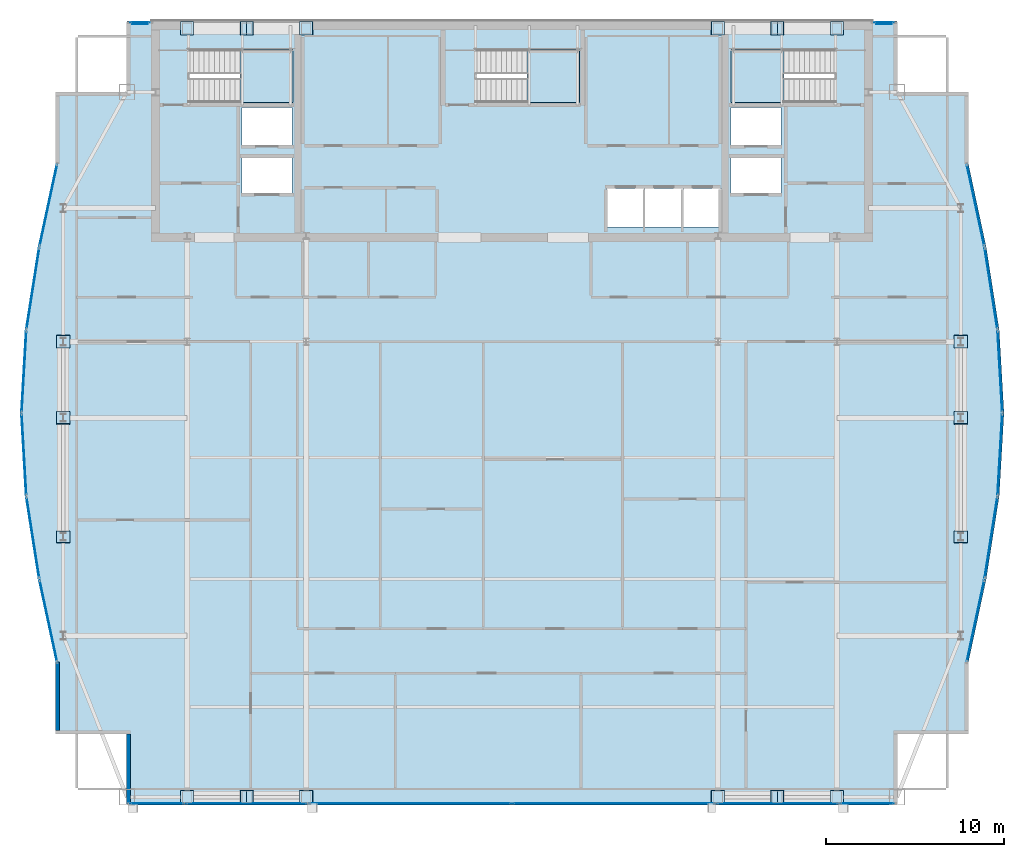
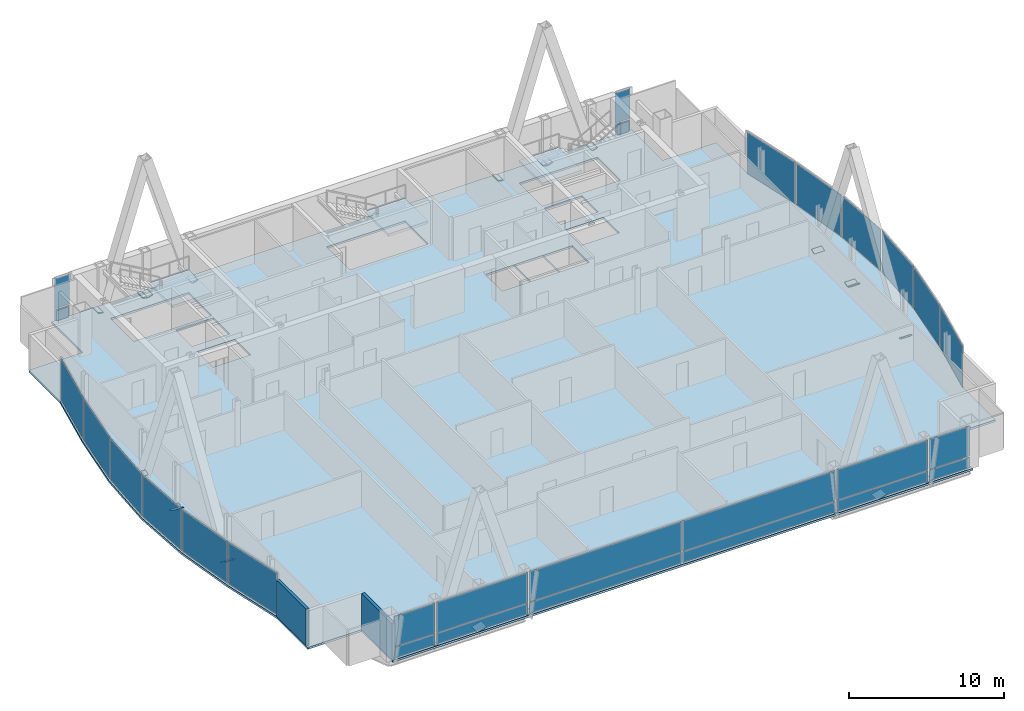
# One storey, part 23 of 29: 54 plates, 4 slabs, 2 walls, 22 elements without a shape of their own.
"""IFC4 building model written with IfcOpenShell, lengths in metres."""

from ifc_helpers import new_model, si_unit, direction, frame, frame_2d, origin, origin_2d, place, context, subcontext, project, spatial, polyline, rectangle, outline, extrude, material, layer, layer_set, type_object, element, aggregate, save


model = new_model("IFC4")

# Units and contexts
model_context = context("Model", 3, precision=1e-05, world=origin(), true_north=direction((0.0, 1.0)))
body_context = subcontext(model_context, "Body", "Model", "MODEL_VIEW")
ifc_project = project(units=[si_unit("LENGTHUNIT", "METRE"), si_unit("AREAUNIT", "SQUARE_METRE"), si_unit("VOLUMEUNIT", "CUBIC_METRE"), si_unit("PLANEANGLEUNIT", "RADIAN"), si_unit("MASSUNIT", "GRAM", prefix="KILO")], contexts=[model_context])

# Site, building, storey
site_placement = place(None, origin())
site = spatial("IfcSite", under=ifc_project, at=site_placement, CompositionType="ELEMENT")
building_placement = place(site_placement, origin())
building = spatial("IfcBuilding", under=site, at=building_placement, Name="Khoronbel Lancet Exchange", CompositionType="ELEMENT")
storey_placement = place(building_placement, frame((0.0, 0.0, 314.60009765625)))
storey = spatial("IfcBuildingStorey", under=building, at=storey_placement, Name="L81", CompositionType="ELEMENT", Elevation=314.60009765625)

# Curtain wall, plate
ifc_material_1 = material(Name="Low-E Solar Control Insulating Glass", Category="glass")
curtain_wall_type_1 = type_object("IfcCurtainWallType", Name="CW-4", PredefinedType="NOTDEFINED", material=ifc_material_1)
curtain_wall_1_placement = place(storey_placement, origin())
curtain_wall_1 = element("IfcCurtainWall", 1, at=curtain_wall_1_placement, inside=storey, type_object=curtain_wall_type_1, Name="Unitised curtain wall CW-L81-E05", PredefinedType="NOTDEFINED")
ifc_material_2 = material(Name="Bronze-Anodised Aluminium 6063-T6", Category="aluminium")
ifc_layer_1 = layer(ifc_material_2, 0.050048828125, Name="Bronze-Anodised Aluminium 6063-T6")
ifc_layer_set_1 = layer_set([ifc_layer_1], Name="Bronze-Anodised Aluminium 6063-T6")
plate_type_1 = type_object("IfcPlateType", Name="PLT-CSP1", PredefinedType="SHEET", material=ifc_layer_set_1)
plate_1_placement = place(storey_placement, frame((9.5712890625, 24.712890625, 0.0849609375), z_axis=(0.0, 0.0, 1.0), x_axis=(-0.155164534193, 0.987888641158, 0.0)))
plate_1 = element("IfcPlate", 2, at=plate_1_placement, type_object=plate_type_1, Name="CW4 panel 1.1", PredefinedType="CURTAIN_PANEL", context=body_context, shape_type="SweptSolid", body=[
    extrude(rectangle(XDim=4.56689453125, YDim=0.0380859375, at=origin_2d()), origin(), (0.0, 0.0, 1.0), 3.27001953125),
])
aggregate(curtain_wall_1, [plate_1])

curtain_wall_2_placement = place(storey_placement, origin())
curtain_wall_2 = element("IfcCurtainWall", 3, at=curtain_wall_2_placement, inside=storey, type_object=curtain_wall_type_1, Name="Unitised curtain wall CW-L81-E06", PredefinedType="NOTDEFINED")
plate_2_placement = place(storey_placement, frame((9.0712890625, 29.371337890625, 0.0849609375), z_axis=(0.0, 0.0, 1.0), x_axis=(-0.057408759259, 0.998350757179, 0.0)))
plate_2 = element("IfcPlate", 4, at=plate_2_placement, type_object=plate_type_1, Name="CW4 panel 1.1", PredefinedType="CURTAIN_PANEL", context=body_context, shape_type="SweptSolid", body=[
    extrude(rectangle(XDim=4.514892578125, YDim=0.0380859375, at=origin_2d()), origin(), (0.0, 0.0, 1.0), 3.27001953125),
])
aggregate(curtain_wall_2, [plate_2])

curtain_wall_3_placement = place(storey_placement, origin())
curtain_wall_3 = element("IfcCurtainWall", 5, at=curtain_wall_3_placement, inside=storey, type_object=curtain_wall_type_1, Name="Unitised curtain wall CW-L81-E07", PredefinedType="NOTDEFINED")
plate_3_placement = place(storey_placement, frame((9.0712890625, 34.028564453125, 0.0849609375), z_axis=(0.0, 0.0, 1.0), x_axis=(0.057408759259, 0.998350757179, 0.0)))
plate_3 = element("IfcPlate", 6, at=plate_3_placement, type_object=plate_type_1, Name="CW4 panel 1.1", PredefinedType="CURTAIN_PANEL", context=body_context, shape_type="SweptSolid", body=[
    extrude(rectangle(XDim=4.514892578125, YDim=0.0380859375, at=origin_2d()), origin(), (0.0, 0.0, 1.0), 3.27001953125),
])
aggregate(curtain_wall_3, [plate_3])

curtain_wall_4_placement = place(storey_placement, origin())
curtain_wall_4 = element("IfcCurtainWall", 7, at=curtain_wall_4_placement, inside=storey, type_object=curtain_wall_type_1, Name="Unitised curtain wall CW-L81-E08", PredefinedType="NOTDEFINED")
plate_4_placement = place(storey_placement, frame((9.5712890625, 38.68701171875, 0.0849609375), z_axis=(0.0, 0.0, 1.0), x_axis=(0.155164534193, 0.987888641158, 0.0)))
plate_4 = element("IfcPlate", 8, at=plate_4_placement, type_object=plate_type_1, Name="CW4 panel 1.1", PredefinedType="CURTAIN_PANEL", context=body_context, shape_type="SweptSolid", body=[
    extrude(rectangle(XDim=4.56689453125, YDim=0.0380859375, at=origin_2d()), origin(), (0.0, 0.0, 1.0), 3.27001953125),
])
aggregate(curtain_wall_4, [plate_4])

curtain_wall_type_2 = type_object("IfcCurtainWallType", Name="CW-3", PredefinedType="NOTDEFINED", material=ifc_material_1)
curtain_wall_5_placement = place(storey_placement, origin())
curtain_wall_5 = element("IfcCurtainWall", 9, at=curtain_wall_5_placement, inside=storey, type_object=curtain_wall_type_2, Name="Unitised curtain wall CW-L81-NWFLK", PredefinedType="NOTDEFINED")
plate_5_placement = place(storey_placement, frame((15.580078125, 53.550048828125, 0.0498046875), z_axis=(0.0, 0.0, 1.0), x_axis=(-1.0, 0.0, 0.0)))
plate_5 = element("IfcPlate", 10, at=plate_5_placement, type_object=plate_type_1, Name="Insulated bronze spandrel cassette CW-L81-NWFLK", PredefinedType="SHEET", context=body_context, shape_type="SweptSolid", body=[
    extrude(rectangle(XDim=0.89599609375, YDim=0.050048828125, at=origin_2d()), origin(), (0.0, 0.0, 1.0), 0.800048828125),
])

curtain_wall_6_placement = place(storey_placement, origin())
curtain_wall_6 = element("IfcCurtainWall", 11, at=curtain_wall_6_placement, inside=storey, type_object=curtain_wall_type_2, Name="Unitised curtain wall CW-L81-NEFLK", PredefinedType="NOTDEFINED")
plate_6_placement = place(storey_placement, frame((57.320068359375, 53.550048828125, 0.0498046875), z_axis=(0.0, 0.0, 1.0), x_axis=(-1.0, 0.0, 0.0)))
plate_6 = element("IfcPlate", 12, at=plate_6_placement, type_object=plate_type_1, Name="Insulated bronze spandrel cassette CW-L81-NEFLK", PredefinedType="SHEET", context=body_context, shape_type="SweptSolid", body=[
    extrude(rectangle(XDim=0.89599609375, YDim=0.050048828125, at=origin_2d()), origin(), (0.0, 0.0, 1.0), 0.800048828125),
])

curtain_wall_7_placement = place(storey_placement, origin())
curtain_wall_7 = element("IfcCurtainWall", 13, at=curtain_wall_7_placement, inside=storey, type_object=curtain_wall_type_1, Name="Unitised curtain wall CW-L81-E18", PredefinedType="NOTDEFINED")
plate_7_placement = place(storey_placement, frame((63.328857421875, 38.68701171875, 0.0849609375), z_axis=(0.0, 0.0, 1.0), x_axis=(0.155164534193, -0.987888641158, 0.0)))
plate_7 = element("IfcPlate", 14, at=plate_7_placement, type_object=plate_type_1, Name="CW4 panel 1.1", PredefinedType="CURTAIN_PANEL", context=body_context, shape_type="SweptSolid", body=[
    extrude(rectangle(XDim=4.56689453125, YDim=0.0380859375, at=origin_2d()), origin(), (0.0, 0.0, 1.0), 3.27001953125),
])
aggregate(curtain_wall_7, [plate_7])

curtain_wall_8_placement = place(storey_placement, origin())
curtain_wall_8 = element("IfcCurtainWall", 15, at=curtain_wall_8_placement, inside=storey, type_object=curtain_wall_type_1, Name="Unitised curtain wall CW-L81-E19", PredefinedType="NOTDEFINED")
plate_8_placement = place(storey_placement, frame((63.82861328125, 34.028564453125, 0.0849609375), z_axis=(0.0, 0.0, 1.0), x_axis=(0.057408759259, -0.998350757179, 0.0)))
plate_8 = element("IfcPlate", 16, at=plate_8_placement, type_object=plate_type_1, Name="CW4 panel 1.1", PredefinedType="CURTAIN_PANEL", context=body_context, shape_type="SweptSolid", body=[
    extrude(rectangle(XDim=4.514892578125, YDim=0.0380859375, at=origin_2d()), origin(), (0.0, 0.0, 1.0), 3.27001953125),
])
aggregate(curtain_wall_8, [plate_8])

curtain_wall_9_placement = place(storey_placement, origin())
curtain_wall_9 = element("IfcCurtainWall", 17, at=curtain_wall_9_placement, inside=storey, type_object=curtain_wall_type_1, Name="Unitised curtain wall CW-L81-E20", PredefinedType="NOTDEFINED")
plate_9_placement = place(storey_placement, frame((63.82861328125, 29.371337890625, 0.0849609375), z_axis=(0.0, 0.0, 1.0), x_axis=(-0.057408759259, -0.998350757179, 0.0)))
plate_9 = element("IfcPlate", 18, at=plate_9_placement, type_object=plate_type_1, Name="CW4 panel 1.1", PredefinedType="CURTAIN_PANEL", context=body_context, shape_type="SweptSolid", body=[
    extrude(rectangle(XDim=4.514892578125, YDim=0.0380859375, at=origin_2d()), origin(), (0.0, 0.0, 1.0), 3.27001953125),
])
aggregate(curtain_wall_9, [plate_9])

curtain_wall_10_placement = place(storey_placement, origin())
curtain_wall_10 = element("IfcCurtainWall", 19, at=curtain_wall_10_placement, inside=storey, type_object=curtain_wall_type_1, Name="Unitised curtain wall CW-L81-E21", PredefinedType="NOTDEFINED")
plate_10_placement = place(storey_placement, frame((63.328857421875, 24.712890625, 0.0849609375), z_axis=(0.0, 0.0, 1.0), x_axis=(-0.155164534193, -0.987888641158, 0.0)))
plate_10 = element("IfcPlate", 20, at=plate_10_placement, type_object=plate_type_1, Name="CW4 panel 1.1", PredefinedType="CURTAIN_PANEL", context=body_context, shape_type="SweptSolid", body=[
    extrude(rectangle(XDim=4.56689453125, YDim=0.0380859375, at=origin_2d()), origin(), (0.0, 0.0, 1.0), 3.27001953125),
])
aggregate(curtain_wall_10, [plate_10])

# Curtain wall, plates
curtain_wall_11_placement = place(storey_placement, origin())
curtain_wall_11 = element("IfcCurtainWall", 21, at=curtain_wall_11_placement, inside=storey, type_object=curtain_wall_type_2, Name="Unitised curtain wall CW-L81-SWB", PredefinedType="NOTDEFINED")
plate_11_placement = place(storey_placement, frame((21.550048828125, 9.7900390625, 0.0849609375), z_axis=(0.0, 0.0, 1.0), x_axis=(1.0, 0.0, 0.0)))
plate_11 = element("IfcPlate", 22, at=plate_11_placement, type_object=plate_type_1, Name="CW3 panel 1.1", PredefinedType="CURTAIN_PANEL", context=body_context, shape_type="SweptSolid", body=[
    extrude(rectangle(XDim=6.72998046875, YDim=0.0380859375, at=origin_2d()), origin(), (0.0, 0.0, 1.0), 0.822509765625),
])
plate_12_placement = place(storey_placement, frame((21.550048828125, 9.7900390625, 0.9921875), z_axis=(0.0, 0.0, 1.0), x_axis=(1.0, 0.0, 0.0)))
plate_12 = element("IfcPlate", 23, at=plate_12_placement, type_object=plate_type_1, Name="CW3 panel 1.2", PredefinedType="CURTAIN_PANEL", context=body_context, shape_type="SweptSolid", body=[
    extrude(rectangle(XDim=6.72998046875, YDim=0.0380859375, at=origin_2d()), origin(), (0.0, 0.0, 1.0), 2.362548828125),
])
aggregate(curtain_wall_11, [plate_11, plate_12])

curtain_wall_12_placement = place(storey_placement, origin())
curtain_wall_12 = element("IfcCurtainWall", 24, at=curtain_wall_12_placement, inside=storey, type_object=curtain_wall_type_2, Name="Unitised curtain wall CW-L81-SEB", PredefinedType="NOTDEFINED")
plate_13_placement = place(storey_placement, frame((51.35009765625, 9.7900390625, 0.0849609375), z_axis=(0.0, 0.0, 1.0), x_axis=(1.0, 0.0, 0.0)))
plate_13 = element("IfcPlate", 25, at=plate_13_placement, type_object=plate_type_1, Name="CW3 panel 1.1", PredefinedType="CURTAIN_PANEL", context=body_context, shape_type="SweptSolid", body=[
    extrude(rectangle(XDim=6.72998046875, YDim=0.0380859375, at=origin_2d()), origin(), (0.0, 0.0, 1.0), 0.822509765625),
])
plate_14_placement = place(storey_placement, frame((51.35009765625, 9.7900390625, 0.9921875), z_axis=(0.0, 0.0, 1.0), x_axis=(1.0, 0.0, 0.0)))
plate_14 = element("IfcPlate", 26, at=plate_14_placement, type_object=plate_type_1, Name="CW3 panel 1.2", PredefinedType="CURTAIN_PANEL", context=body_context, shape_type="SweptSolid", body=[
    extrude(rectangle(XDim=6.72998046875, YDim=0.0380859375, at=origin_2d()), origin(), (0.0, 0.0, 1.0), 2.362548828125),
])
aggregate(curtain_wall_12, [plate_13, plate_14])

# Plate
ifc_layer_2 = layer(ifc_material_1, 0.035888671875, Name="Low-E Solar Control Insulating Glass")
ifc_layer_set_2 = layer_set([ifc_layer_2], Name="Low-E Solar Control Insulating Glass")
plate_type_2 = type_object("IfcPlateType", Name="PLT-CWP1", PredefinedType="CURTAIN_PANEL", material=ifc_layer_set_2)
plate_15_placement = place(storey_placement, frame((15.580078125, 53.610107421875, 0.0849609375), z_axis=(0.0, 0.0, 1.0), x_axis=(-1.0, 0.0, 0.0)))
plate_15 = element("IfcPlate", 27, at=plate_15_placement, type_object=plate_type_2, Name="CW3 panel 1.1", PredefinedType="CURTAIN_PANEL", context=body_context, shape_type="SweptSolid", body=[
    extrude(rectangle(XDim=1.110107421875, YDim=0.0380859375, at=origin_2d()), origin(), (0.0, 0.0, 1.0), 0.822509765625),
])

plate_16_placement = place(storey_placement, frame((15.580078125, 53.610107421875, 0.9921875), z_axis=(0.0, 0.0, 1.0), x_axis=(-1.0, 0.0, 0.0)))
plate_16 = element("IfcPlate", 28, at=plate_16_placement, type_object=plate_type_2, Name="CW3 panel 1.2", PredefinedType="CURTAIN_PANEL", context=body_context, shape_type="SweptSolid", body=[
    extrude(rectangle(XDim=1.110107421875, YDim=0.0380859375, at=origin_2d()), origin(), (0.0, 0.0, 1.0), 2.362548828125),
])

aggregate(curtain_wall_5, [plate_15, plate_16, plate_5])

plate_17_placement = place(storey_placement, frame((57.320068359375, 53.610107421875, 0.0849609375), z_axis=(0.0, 0.0, 1.0), x_axis=(-1.0, 0.0, 0.0)))
plate_17 = element("IfcPlate", 29, at=plate_17_placement, type_object=plate_type_2, Name="CW3 panel 1.1", PredefinedType="CURTAIN_PANEL", context=body_context, shape_type="SweptSolid", body=[
    extrude(rectangle(XDim=1.110107421875, YDim=0.0380859375, at=origin_2d()), origin(), (0.0, 0.0, 1.0), 0.822509765625),
])

plate_18_placement = place(storey_placement, frame((57.320068359375, 53.610107421875, 0.9921875), z_axis=(0.0, 0.0, 1.0), x_axis=(-1.0, 0.0, 0.0)))
plate_18 = element("IfcPlate", 30, at=plate_18_placement, type_object=plate_type_2, Name="CW3 panel 1.2", PredefinedType="CURTAIN_PANEL", context=body_context, shape_type="SweptSolid", body=[
    extrude(rectangle(XDim=1.110107421875, YDim=0.0380859375, at=origin_2d()), origin(), (0.0, 0.0, 1.0), 2.362548828125),
])

aggregate(curtain_wall_6, [plate_17, plate_18, plate_6])

# Curtain wall, plates
curtain_wall_13_placement = place(storey_placement, origin())
curtain_wall_13 = element("IfcCurtainWall", 31, at=curtain_wall_13_placement, inside=storey, type_object=curtain_wall_type_2, Name="Unitised curtain wall CW-L81-SWV", PredefinedType="NOTDEFINED")
plate_19_placement = place(storey_placement, frame((16.52001953125, 9.7900390625, 0.0849609375), z_axis=(0.0, 0.0, 1.0), x_axis=(1.0, 0.0, 0.0)))
plate_19 = element("IfcPlate", 32, at=plate_19_placement, type_object=plate_type_2, Name="CW3 panel 1.1", PredefinedType="CURTAIN_PANEL", context=body_context, shape_type="SweptSolid", body=[
    extrude(rectangle(XDim=2.989990234375, YDim=0.0380859375, at=origin_2d()), origin(), (0.0, 0.0, 1.0), 0.822509765625),
])
plate_20_placement = place(storey_placement, frame((16.52001953125, 9.7900390625, 0.9921875), z_axis=(0.0, 0.0, 1.0), x_axis=(1.0, 0.0, 0.0)))
plate_20 = element("IfcPlate", 33, at=plate_20_placement, type_object=plate_type_2, Name="CW3 panel 1.2", PredefinedType="CURTAIN_PANEL", context=body_context, shape_type="SweptSolid", body=[
    extrude(rectangle(XDim=2.989990234375, YDim=0.0380859375, at=origin_2d()), origin(), (0.0, 0.0, 1.0), 2.362548828125),
])
aggregate(curtain_wall_13, [plate_19, plate_20])

curtain_wall_14_placement = place(storey_placement, origin())
curtain_wall_14 = element("IfcCurtainWall", 34, at=curtain_wall_14_placement, inside=storey, type_object=curtain_wall_type_2, Name="Unitised curtain wall CW-L81-SCV", PredefinedType="NOTDEFINED")
plate_21_placement = place(storey_placement, frame((30.746337890625, 9.7900390625, 0.0849609375), z_axis=(0.0, 0.0, 1.0), x_axis=(1.0, 0.0, 0.0)))
plate_21 = element("IfcPlate", 35, at=plate_21_placement, type_object=plate_type_2, Name="CW3 panel 1.1", PredefinedType="CURTAIN_PANEL", context=body_context, shape_type="SweptSolid", body=[
    extrude(rectangle(XDim=11.322509765625, YDim=0.0380859375, at=origin_2d()), origin(), (0.0, 0.0, 1.0), 0.822509765625),
])
plate_22_placement = place(storey_placement, frame((30.746337890625, 9.7900390625, 0.9921875), z_axis=(0.0, 0.0, 1.0), x_axis=(1.0, 0.0, 0.0)))
plate_22 = element("IfcPlate", 36, at=plate_22_placement, type_object=plate_type_2, Name="CW3 panel 1.2", PredefinedType="CURTAIN_PANEL", context=body_context, shape_type="SweptSolid", body=[
    extrude(rectangle(XDim=11.322509765625, YDim=0.0380859375, at=origin_2d()), origin(), (0.0, 0.0, 1.0), 2.362548828125),
])
plate_23_placement = place(storey_placement, frame((42.15380859375, 9.7900390625, 0.0849609375), z_axis=(0.0, 0.0, 1.0), x_axis=(1.0, 0.0, 0.0)))
plate_23 = element("IfcPlate", 37, at=plate_23_placement, type_object=plate_type_2, Name="CW3 panel 2.1", PredefinedType="CURTAIN_PANEL", context=body_context, shape_type="SweptSolid", body=[
    extrude(rectangle(XDim=11.322509765625, YDim=0.0380859375, at=origin_2d()), origin(), (0.0, 0.0, 1.0), 0.822509765625),
])
plate_24_placement = place(storey_placement, frame((42.15380859375, 9.7900390625, 0.9921875), z_axis=(0.0, 0.0, 1.0), x_axis=(1.0, 0.0, 0.0)))
plate_24 = element("IfcPlate", 38, at=plate_24_placement, type_object=plate_type_2, Name="CW3 panel 2.2", PredefinedType="CURTAIN_PANEL", context=body_context, shape_type="SweptSolid", body=[
    extrude(rectangle(XDim=11.322509765625, YDim=0.0380859375, at=origin_2d()), origin(), (0.0, 0.0, 1.0), 2.362548828125),
])
aggregate(curtain_wall_14, [plate_21, plate_22, plate_23, plate_24])

curtain_wall_15_placement = place(storey_placement, origin())
curtain_wall_15 = element("IfcCurtainWall", 39, at=curtain_wall_15_placement, inside=storey, type_object=curtain_wall_type_2, Name="Unitised curtain wall CW-L81-SEV", PredefinedType="NOTDEFINED")
plate_25_placement = place(storey_placement, frame((56.3798828125, 9.7900390625, 0.0849609375), z_axis=(0.0, 0.0, 1.0), x_axis=(1.0, 0.0, 0.0)))
plate_25 = element("IfcPlate", 40, at=plate_25_placement, type_object=plate_type_2, Name="CW3 panel 1.1", PredefinedType="CURTAIN_PANEL", context=body_context, shape_type="SweptSolid", body=[
    extrude(rectangle(XDim=2.989990234375, YDim=0.0380859375, at=origin_2d()), origin(), (0.0, 0.0, 1.0), 0.822509765625),
])
plate_26_placement = place(storey_placement, frame((56.3798828125, 9.7900390625, 0.9921875), z_axis=(0.0, 0.0, 1.0), x_axis=(1.0, 0.0, 0.0)))
plate_26 = element("IfcPlate", 41, at=plate_26_placement, type_object=plate_type_2, Name="CW3 panel 1.2", PredefinedType="CURTAIN_PANEL", context=body_context, shape_type="SweptSolid", body=[
    extrude(rectangle(XDim=2.989990234375, YDim=0.0380859375, at=origin_2d()), origin(), (0.0, 0.0, 1.0), 2.362548828125),
])
aggregate(curtain_wall_15, [plate_25, plate_26])

# Curtain wall, plate
curtain_wall_16_placement = place(storey_placement, origin())
curtain_wall_16 = element("IfcCurtainWall", 42, at=curtain_wall_16_placement, inside=storey, type_object=curtain_wall_type_1, Name="Unitised curtain wall CW-L81-E04", PredefinedType="NOTDEFINED")
ifc_material_3 = material(Name="Ceramic-Fritted Laminated Insulating Glass", Category="glass")
ifc_layer_3 = layer(ifc_material_3, 0.0419921875, Name="Ceramic-Fritted Laminated Insulating Glass")
ifc_layer_set_3 = layer_set([ifc_layer_3], Name="Ceramic-Fritted Laminated Insulating Glass")
plate_type_3 = type_object("IfcPlateType", Name="PLT-CWP2", PredefinedType="CURTAIN_PANEL", material=ifc_layer_set_3)
plate_27_placement = place(storey_placement, frame((10.438720703125, 20.04638671875, 0.0849609375), z_axis=(0.0, 0.0, 1.0), x_axis=(-0.209791966588, 0.977746046147, 0.0)))
plate_27 = element("IfcPlate", 43, at=plate_27_placement, type_object=plate_type_3, Name="CW4 panel 1.1", PredefinedType="CURTAIN_PANEL", context=body_context, shape_type="SweptSolid", body=[
    extrude(rectangle(XDim=4.6298828125, YDim=0.0380859375, at=origin_2d()), origin(), (0.0, 0.0, 1.0), 3.27001953125),
])
aggregate(curtain_wall_16, [plate_27])

curtain_wall_17_placement = place(storey_placement, origin())
curtain_wall_17 = element("IfcCurtainWall", 44, at=curtain_wall_17_placement, inside=storey, type_object=curtain_wall_type_1, Name="Unitised curtain wall CW-L81-E09", PredefinedType="NOTDEFINED")
plate_28_placement = place(storey_placement, frame((10.438720703125, 43.353759765625, 0.0849609375), z_axis=(0.0, 0.0, 1.0), x_axis=(0.209791966588, 0.977746046147, 0.0)))
plate_28 = element("IfcPlate", 45, at=plate_28_placement, type_object=plate_type_3, Name="CW4 panel 1.1", PredefinedType="CURTAIN_PANEL", context=body_context, shape_type="SweptSolid", body=[
    extrude(rectangle(XDim=4.6298828125, YDim=0.0380859375, at=origin_2d()), origin(), (0.0, 0.0, 1.0), 3.27001953125),
])
aggregate(curtain_wall_17, [plate_28])

curtain_wall_18_placement = place(storey_placement, origin())
curtain_wall_18 = element("IfcCurtainWall", 46, at=curtain_wall_18_placement, inside=storey, type_object=curtain_wall_type_1, Name="Unitised curtain wall CW-L81-E17", PredefinedType="NOTDEFINED")
plate_29_placement = place(storey_placement, frame((62.46142578125, 43.353759765625, 0.0849609375), z_axis=(0.0, 0.0, 1.0), x_axis=(0.209791966588, -0.977746046147, 0.0)))
plate_29 = element("IfcPlate", 47, at=plate_29_placement, type_object=plate_type_3, Name="CW4 panel 1.1", PredefinedType="CURTAIN_PANEL", context=body_context, shape_type="SweptSolid", body=[
    extrude(rectangle(XDim=4.6298828125, YDim=0.0380859375, at=origin_2d()), origin(), (0.0, 0.0, 1.0), 3.27001953125),
])
aggregate(curtain_wall_18, [plate_29])

curtain_wall_19_placement = place(storey_placement, origin())
curtain_wall_19 = element("IfcCurtainWall", 48, at=curtain_wall_19_placement, inside=storey, type_object=curtain_wall_type_1, Name="Unitised curtain wall CW-L81-E22", PredefinedType="NOTDEFINED")
plate_30_placement = place(storey_placement, frame((62.46142578125, 20.04638671875, 0.0849609375), z_axis=(0.0, 0.0, 1.0), x_axis=(-0.209791966588, -0.977746046147, 0.0)))
plate_30 = element("IfcPlate", 49, at=plate_30_placement, type_object=plate_type_3, Name="CW4 panel 1.1", PredefinedType="CURTAIN_PANEL", context=body_context, shape_type="SweptSolid", body=[
    extrude(rectangle(XDim=4.6298828125, YDim=0.0380859375, at=origin_2d()), origin(), (0.0, 0.0, 1.0), 3.27001953125),
])
aggregate(curtain_wall_19, [plate_30])

# Plates
ifc_material_4 = material(Name="Steel S460", Category="steel")
ifc_layer_4 = layer(ifc_material_4, 0.044921875, Name="Steel S460")
ifc_layer_set_4 = layer_set([ifc_layer_4], Name="Steel S460")
plate_type_4 = type_object("IfcPlateType", Name="PLT-ECP1", PredefinedType="USERDEFINED", material=ifc_layer_set_4)
for number, where, z_axis, x_axis, name in (
    (50, (21.93798828125, 9.77001953125, -0.06689453125), (0.259881310271, 0.0, 0.965640566967), (0.0, 1.0, 0.0), "Hollow end cap plate PLT-CAP-MEM-MB-T27-S-W-L-1"),
    (51, (21.18701171875, 10.530029296875, -0.06689453125), (-0.259881310271, 0.0, 0.965640566967), (0.0, -1.0, 0.0), "Hollow end cap plate PLT-CAP-MEM-MB-T27-S-W-R-1"),
    (52, (51.713134765625, 9.77001953125, -0.06689453125), (0.259881310271, 0.0, 0.965640566967), (0.0, 1.0, 0.0), "Hollow end cap plate PLT-CAP-MEM-MB-T27-S-E-L-1"),
    (53, (50.9619140625, 10.530029296875, -0.06689453125), (-0.259881310271, 0.0, 0.965640566967), (0.0, -1.0, 0.0), "Hollow end cap plate PLT-CAP-MEM-MB-T27-S-E-R-1"),
    (54, (21.93798828125, 52.89990234375, -0.06689453125), (0.259881310271, 0.0, 0.965640566967), (0.0, 1.0, 0.0), "Hollow end cap plate PLT-CAP-MEM-MB-T27-N-W-L-1"),
    (55, (21.18701171875, 53.659912109375, -0.06689453125), (-0.259881310271, 0.0, 0.965640566967), (0.0, -1.0, 0.0), "Hollow end cap plate PLT-CAP-MEM-MB-T27-N-W-R-1"),
    (56, (51.713134765625, 52.89990234375, -0.06689453125), (0.259881310271, 0.0, 0.965640566967), (0.0, 1.0, 0.0), "Hollow end cap plate PLT-CAP-MEM-MB-T27-N-E-L-1"),
    (57, (50.9619140625, 53.659912109375, -0.06689453125), (-0.259881310271, 0.0, 0.965640566967), (0.0, -1.0, 0.0), "Hollow end cap plate PLT-CAP-MEM-MB-T27-N-E-R-1"),
    (58, (11.64990234375, 31.775146484375, -0.151123046875), (0.0, 0.473869908862, 0.880594861145), (-1.0, 0.0, 0.0), "Hollow end cap plate PLT-CAP-MEM-MB-T27-W-P-L-1"),
    (59, (10.889892578125, 31.054931640625, -0.0927734375), (0.0, -0.326040180395, 0.945355912219), (1.0, 0.0, 0.0), "Hollow end cap plate PLT-CAP-MEM-MB-T27-W-P-R-1"),
    (60, (62.010009765625, 31.775146484375, -0.151123046875), (0.0, 0.473869908862, 0.880594861145), (-1.0, 0.0, 0.0), "Hollow end cap plate PLT-CAP-MEM-MB-T27-E-P-L-1"),
    (61, (61.25, 31.054931640625, -0.0927734375), (0.0, -0.326040180395, 0.945355912219), (1.0, 0.0, 0.0), "Hollow end cap plate PLT-CAP-MEM-MB-T27-E-P-R-1"),
    (62, (18.591552734375, 9.77001953125, -0.100830078125), (0.295236958021, 0.0, 0.955424062193), (0.0, 1.0, 0.0), "Hollow end cap plate PLT-CAP-MEM-MB-T28-S-W-L-0"),
    (63, (24.533447265625, 10.530029296875, -0.100830078125), (-0.295236958021, 0.0, 0.955424062193), (0.0, -1.0, 0.0), "Hollow end cap plate PLT-CAP-MEM-MB-T28-S-W-R-0"),
):
    element("IfcPlate", number, at=place(storey_placement, frame(where, z_axis=z_axis, x_axis=x_axis)), inside=storey, type_object=plate_type_4, Name=name, ObjectType="STIFFENER_PLATE", PredefinedType="USERDEFINED", context=body_context, shape_type="SweptSolid", body=[
        extrude(outline(polyline([(0.0, 0.0), (0.760009765625, 0.0), (0.760009765625, 0.760009765625), (0.0, 0.760009765625), (0.0, 0.0)])), origin(), (0.0, 0.0, -1.0), 0.044921875),
    ])
plate_31_placement = place(storey_placement, frame((48.36669921875, 9.77001953125, -0.100830078125), z_axis=(0.295146364908, 0.0, 0.955452051796), x_axis=(0.0, 1.0, 0.0)))
element("IfcPlate", 64, at=plate_31_placement, inside=storey, type_object=plate_type_4, Name="Hollow end cap plate PLT-CAP-MEM-MB-T28-S-E-L-0", ObjectType="STIFFENER_PLATE", PredefinedType="USERDEFINED", context=body_context, shape_type="SweptSolid", body=[
    extrude(outline(polyline([(0.0, 0.0), (0.760009765625, 0.0), (0.760009765625, 0.76025390625), (0.0, 0.76025390625), (0.0, 0.0)])), origin(), (0.0, 0.0, -1.0), 0.044921875),
])
for number, where, z_axis, x_axis, name in (
    (65, (54.308349609375, 10.530029296875, -0.100830078125), (-0.295236958021, 0.0, 0.955424062193), (0.0, -1.0, 0.0), "Hollow end cap plate PLT-CAP-MEM-MB-T28-S-E-R-0"),
    (66, (18.591552734375, 52.89990234375, -0.100830078125), (0.295236958021, 0.0, 0.955424062193), (0.0, 1.0, 0.0), "Hollow end cap plate PLT-CAP-MEM-MB-T28-N-W-L-0"),
    (67, (24.533447265625, 53.659912109375, -0.100830078125), (-0.295236958021, 0.0, 0.955424062193), (0.0, -1.0, 0.0), "Hollow end cap plate PLT-CAP-MEM-MB-T28-N-W-R-0"),
):
    element("IfcPlate", number, at=place(storey_placement, frame(where, z_axis=z_axis, x_axis=x_axis)), inside=storey, type_object=plate_type_4, Name=name, ObjectType="STIFFENER_PLATE", PredefinedType="USERDEFINED", context=body_context, shape_type="SweptSolid", body=[
        extrude(outline(polyline([(0.0, 0.0), (0.760009765625, 0.0), (0.760009765625, 0.760009765625), (0.0, 0.760009765625), (0.0, 0.0)])), origin(), (0.0, 0.0, -1.0), 0.044921875),
    ])
plate_32_placement = place(storey_placement, frame((48.36669921875, 52.89990234375, -0.100830078125), z_axis=(0.295146364908, 0.0, 0.955452051796), x_axis=(0.0, 1.0, 0.0)))
element("IfcPlate", 68, at=plate_32_placement, inside=storey, type_object=plate_type_4, Name="Hollow end cap plate PLT-CAP-MEM-MB-T28-N-E-L-0", ObjectType="STIFFENER_PLATE", PredefinedType="USERDEFINED", context=body_context, shape_type="SweptSolid", body=[
    extrude(outline(polyline([(0.0, 0.0), (0.760009765625, 0.0), (0.760009765625, 0.76025390625), (0.0, 0.76025390625), (0.0, 0.0)])), origin(), (0.0, 0.0, -1.0), 0.044921875),
])
for number, where, z_axis, x_axis, name in (
    (69, (54.308349609375, 53.659912109375, -0.100830078125), (-0.295236958021, 0.0, 0.955424062193), (0.0, -1.0, 0.0), "Hollow end cap plate PLT-CAP-MEM-MB-T28-N-E-R-0"),
    (70, (11.64990234375, 25.07958984375, -0.189697265625), (0.0, 0.525834774126, 0.850586732979), (-1.0, 0.0, 0.0), "Hollow end cap plate PLT-CAP-MEM-MB-T28-W-P-L-0"),
    (71, (10.889892578125, 35.34228515625, -0.12890625), (0.0, -0.368175750156, 0.929756213745), (1.0, 0.0, 0.0), "Hollow end cap plate PLT-CAP-MEM-MB-T28-W-P-R-0"),
    (72, (62.010009765625, 25.07958984375, -0.189697265625), (0.0, 0.525834774126, 0.850586732979), (-1.0, 0.0, 0.0), "Hollow end cap plate PLT-CAP-MEM-MB-T28-E-P-L-0"),
    (73, (61.25, 35.34228515625, -0.12890625), (0.0, -0.368175750156, 0.929756213745), (1.0, 0.0, 0.0), "Hollow end cap plate PLT-CAP-MEM-MB-T28-E-P-R-0"),
):
    element("IfcPlate", number, at=place(storey_placement, frame(where, z_axis=z_axis, x_axis=x_axis)), inside=storey, type_object=plate_type_4, Name=name, ObjectType="STIFFENER_PLATE", PredefinedType="USERDEFINED", context=body_context, shape_type="SweptSolid", body=[
        extrude(outline(polyline([(0.0, 0.0), (0.760009765625, 0.0), (0.760009765625, 0.760009765625), (0.0, 0.760009765625), (0.0, 0.0)])), origin(), (0.0, 0.0, -1.0), 0.044921875),
    ])

# Slab
ifc_material_5 = material(Name="Concrete C40/50", Category="concrete")
ifc_layer_5 = layer(ifc_material_5, 0.159912109375, Name="Concrete C40/50")
ifc_layer_set_5 = layer_set([ifc_layer_5], Name="Concrete C40/50")
slab_type_1 = type_object("IfcSlabType", Name="SL-FL160", PredefinedType="FLOOR", material=ifc_layer_set_5)
slab_1_placement = place(storey_placement, frame((0.0, 0.0, -0.16015625)))
element("IfcSlab", 74, at=slab_1_placement, inside=storey, type_object=slab_type_1, Name="Level L81 composite structural floor slab", PredefinedType="FLOOR", context=body_context, shape_type="SweptSolid", body=[
    extrude(outline(polyline([(14.85009765625, 9.699951171875), (58.050048828125, 9.699951171875), (58.050048828125, 13.699951171875), (62.050048828125, 13.699951171875), (62.050048828125, 17.699951171875), (63.05126953125, 22.36669921875), (63.7841796875, 27.033203125), (64.052490234375, 31.699951171875), (63.7841796875, 36.36669921875), (63.05126953125, 41.033203125), (62.050048828125, 45.699951171875), (62.050048828125, 49.699951171875), (58.050048828125, 49.699951171875), (58.050048828125, 53.699951171875), (14.85009765625, 53.699951171875), (14.85009765625, 49.699951171875), (10.85009765625, 49.699951171875), (10.85009765625, 45.699951171875), (9.8486328125, 41.033203125), (9.11572265625, 36.36669921875), (8.847412109375, 31.699951171875), (9.11572265625, 27.033203125), (9.8486328125, 22.36669921875), (10.85009765625, 17.699951171875), (10.85009765625, 13.699951171875), (14.85009765625, 13.699951171875), (14.85009765625, 9.699951171875)]), holes=[polyline([(18.324951171875, 49.1201171875), (24.14990234375, 49.1201171875), (24.14990234375, 52.10009765625), (18.324951171875, 52.10009765625), (18.324951171875, 49.1201171875)]), polyline([(48.75, 49.1201171875), (54.574951171875, 49.1201171875), (54.574951171875, 52.10009765625), (48.75, 52.10009765625), (48.75, 49.1201171875)]), polyline([(34.425048828125, 49.1201171875), (40.25, 49.1201171875), (40.25, 52.10009765625), (34.425048828125, 52.10009765625), (34.425048828125, 49.1201171875)]), polyline([(41.739990234375, 42.14990234375), (43.8798828125, 42.14990234375), (43.8798828125, 44.300048828125), (41.739990234375, 44.300048828125), (41.739990234375, 42.14990234375)]), polyline([(43.89990234375, 42.14990234375), (46.0400390625, 42.14990234375), (46.0400390625, 44.300048828125), (43.89990234375, 44.300048828125), (43.89990234375, 42.14990234375)]), polyline([(46.06005859375, 42.14990234375), (48.199951171875, 42.14990234375), (48.199951171875, 44.300048828125), (46.06005859375, 44.300048828125), (46.06005859375, 42.14990234375)]), polyline([(21.300048828125, 46.75), (24.10009765625, 46.75), (24.10009765625, 48.85009765625), (21.300048828125, 48.85009765625), (21.300048828125, 46.75)]), polyline([(48.75, 46.75), (51.550048828125, 46.75), (51.550048828125, 48.85009765625), (48.75, 48.85009765625), (48.75, 46.75)]), polyline([(21.300048828125, 44.050048828125), (24.10009765625, 44.050048828125), (24.10009765625, 46.050048828125), (21.300048828125, 46.050048828125), (21.300048828125, 44.050048828125)]), polyline([(48.75, 44.050048828125), (51.550048828125, 44.050048828125), (51.550048828125, 46.050048828125), (48.75, 46.050048828125), (48.75, 44.050048828125)])]), origin(), (0.0, 0.0, 1.0), 0.16015625),
])

# Stair, slab
stair_type = type_object("IfcStairType", Name="STR-CORE150", PredefinedType="HALF_TURN_STAIR", material=ifc_material_5)
stair_1_placement = place(storey_placement, origin())
stair_1 = element("IfcStair", 75, at=stair_1_placement, inside=storey, type_object=stair_type, Name="L81 Protected Exit Stair ST1", PredefinedType="HALF_TURN_STAIR")
ifc_layer_6 = layer(ifc_material_5, 0.199951171875, Name="Concrete C40/50")
ifc_layer_set_6 = layer_set([ifc_layer_6], Name="Concrete C40/50")
slab_type_2 = type_object("IfcSlabType", Name="SL-LND180", PredefinedType="LANDING", material=ifc_layer_set_6)
slab_2_placement = place(storey_placement, frame((0.0, 0.0, 1.599853515625)))
slab_2 = element("IfcSlab", 76, at=slab_2_placement, type_object=slab_type_2, Name="ST1 landing 1", PredefinedType="LANDING", context=body_context, shape_type="SweptSolid", body=[
    extrude(outline(polyline([(21.199951171875, 49.1201171875), (24.14990234375, 49.1201171875), (24.14990234375, 52.10009765625), (21.199951171875, 52.10009765625), (21.199951171875, 49.1201171875)])), origin(), (0.0, 0.0, 1.0), 0.199951171875),
])
aggregate(stair_1, [slab_2])

stair_2_placement = place(storey_placement, origin())
stair_2 = element("IfcStair", 77, at=stair_2_placement, inside=storey, type_object=stair_type, Name="L81 Protected Exit Stair ST2", PredefinedType="HALF_TURN_STAIR")
slab_3_placement = place(storey_placement, frame((0.0, 0.0, 1.599853515625)))
slab_3 = element("IfcSlab", 78, at=slab_3_placement, type_object=slab_type_2, Name="ST2 landing 1", PredefinedType="LANDING", context=body_context, shape_type="SweptSolid", body=[
    extrude(outline(polyline([(51.699951171875, 52.10009765625), (48.75, 52.10009765625), (48.75, 49.1201171875), (51.699951171875, 49.1201171875), (51.699951171875, 52.10009765625)])), origin(), (0.0, 0.0, 1.0), 0.199951171875),
])
aggregate(stair_2, [slab_3])

stair_3_placement = place(storey_placement, origin())
stair_3 = element("IfcStair", 79, at=stair_3_placement, inside=storey, type_object=stair_type, Name="L81 Protected Exit Stair ST3", PredefinedType="HALF_TURN_STAIR")
slab_4_placement = place(storey_placement, frame((0.0, 0.0, 1.599853515625)))
slab_4 = element("IfcSlab", 80, at=slab_4_placement, type_object=slab_type_2, Name="ST3 landing 1", PredefinedType="LANDING", context=body_context, shape_type="SweptSolid", body=[
    extrude(outline(polyline([(37.300048828125, 49.1201171875), (40.25, 49.1201171875), (40.25, 52.10009765625), (37.300048828125, 52.10009765625), (37.300048828125, 49.1201171875)])), origin(), (0.0, 0.0, 1.0), 0.199951171875),
])
aggregate(stair_3, [slab_4])

# Walls
ifc_material_6 = material(Name="Precast concrete C40/50", Category="concrete")
ifc_layer_7 = layer(ifc_material_6, 0.25, Name="Precast concrete C40/50")
ifc_layer_set_7 = layer_set([ifc_layer_7], Name="Precast concrete C40/50")
wall_type = type_object("IfcWallType", Name="WL-EXT250", PredefinedType="SOLIDWALL", material=ifc_layer_set_7)
wall_1_placement = place(storey_placement, frame((14.93994140625, 9.77001953125, 0.0), z_axis=(0.0, 0.0, 1.0), x_axis=(0.0, 1.0, 0.0)))
element("IfcWall", 81, at=wall_1_placement, inside=storey, type_object=wall_type, Name="Level L81 notched-corner limestone pier 01", PredefinedType="SOLIDWALL", context=body_context, shape_type="SweptSolid", body=[
    extrude(rectangle(XDim=3.909912109375, YDim=0.219970703125, at=frame_2d((1.955078125, 0.0))), origin(), (0.0, 0.0, 1.0), 2.8798828125),
])
wall_2_placement = place(storey_placement, frame((10.93994140625, 13.89990234375, 0.0), z_axis=(0.0, 0.0, 1.0), x_axis=(0.0, 1.0, 0.0)))
element("IfcWall", 82, at=wall_2_placement, inside=storey, type_object=wall_type, Name="Level L81 notched-corner limestone pier 03", PredefinedType="SOLIDWALL", context=body_context, shape_type="SweptSolid", body=[
    extrude(rectangle(XDim=3.82958984375, YDim=0.219970703125, at=frame_2d((1.914794921875, 0.0))), origin(), (0.0, 0.0, 1.0), 2.8798828125),
])

save(model, "model.ifc")
